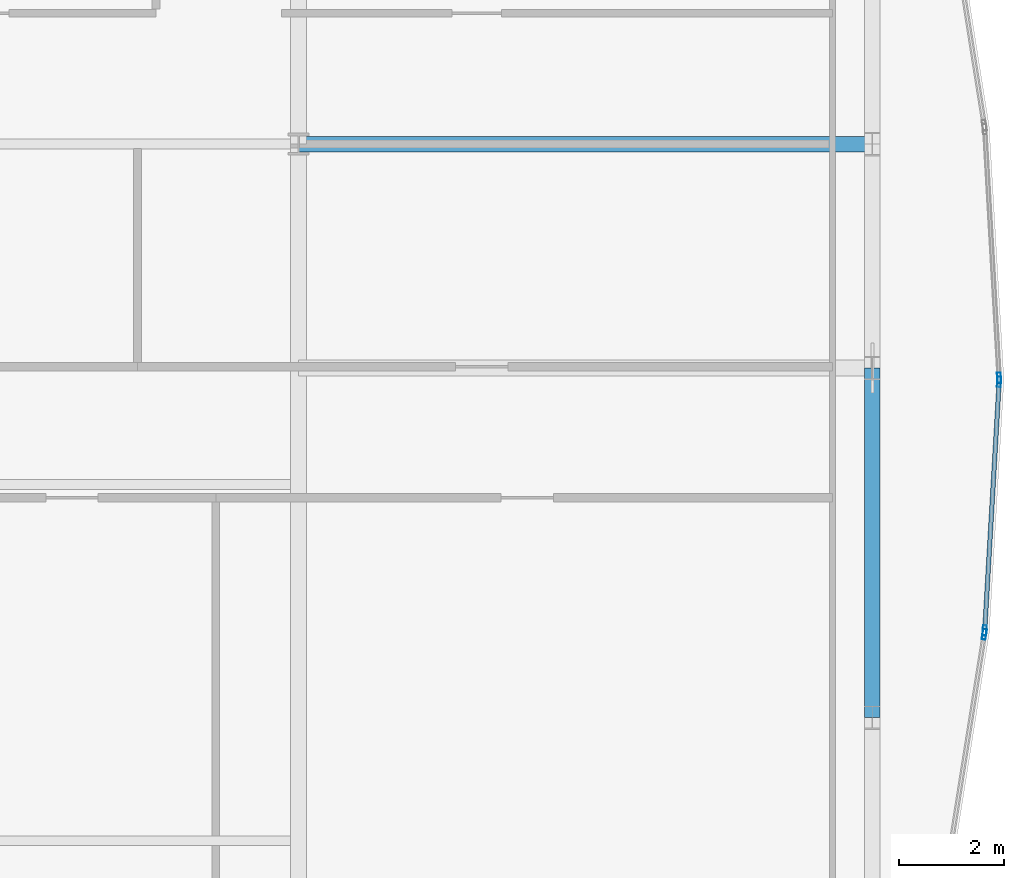
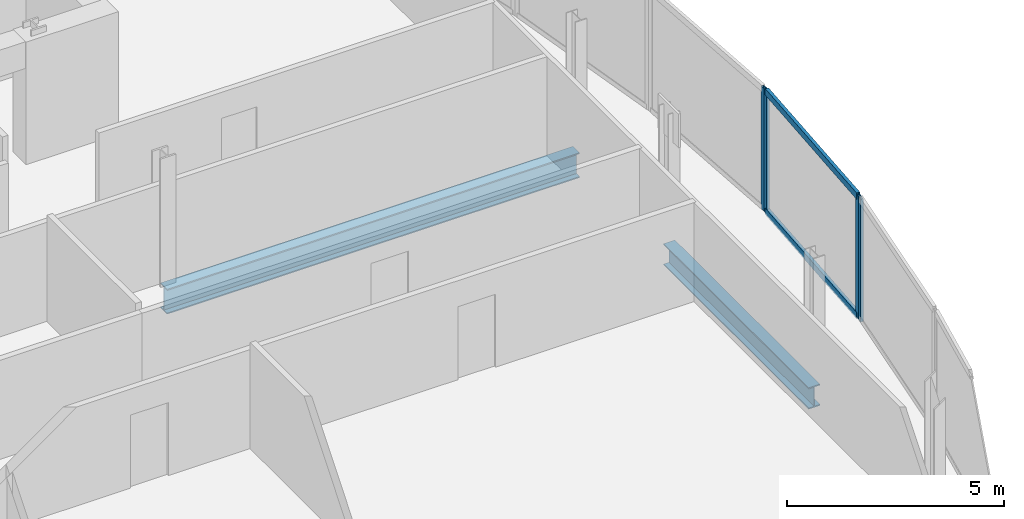
# One storey, part 18 of 30: 6 members, 2 beams, 3 elements without a shape of their own.
"""IFC4 building model written with IfcOpenShell, lengths in metres."""

from ifc_helpers import new_model, si_unit, direction, frame, origin, origin_2d, place, context, subcontext, project, spatial, hollow_rectangle, i_section, extrude, material, material_profile, profile_set, type_object, element, aggregate, save


model = new_model("IFC4")

# Units and contexts
model_context = context("Model", 3, precision=1e-05, world=origin(), true_north=direction((0.0, 1.0)))
body_context = subcontext(model_context, "Body", "Model", "MODEL_VIEW")
ifc_project = project(units=[si_unit("LENGTHUNIT", "METRE"), si_unit("AREAUNIT", "SQUARE_METRE"), si_unit("VOLUMEUNIT", "CUBIC_METRE"), si_unit("PLANEANGLEUNIT", "RADIAN"), si_unit("MASSUNIT", "GRAM", prefix="KILO")], contexts=[model_context])

# Site, building, storey
site_placement = place(None, origin())
site = spatial("IfcSite", under=ifc_project, at=site_placement, CompositionType="ELEMENT")
building_placement = place(site_placement, origin())
building = spatial("IfcBuilding", under=site, at=building_placement, Name="Khoronbel Lancet Exchange", CompositionType="ELEMENT")
storey_placement = place(building_placement, frame((0.0, 0.0, 217.39990234375)))
storey = spatial("IfcBuildingStorey", under=building, at=storey_placement, Name="L55", CompositionType="ELEMENT", Elevation=217.39990234375)

# Beams
ifc_material_1 = material(Name="Steel S355", Category="steel")
ifc_material_profile_1 = material_profile(ifc_material_1, i_section(OverallWidth=0.300048828125, OverallDepth=0.699951171875, WebThickness=0.01708984375, FlangeThickness=0.031982421875, at=origin_2d()), Name="HEB 700")
ifc_profile_set_1 = profile_set([ifc_material_profile_1], Name="Steel S355")
beam_type_1 = type_object("IfcBeamType", Name="BM-BG3", PredefinedType="BEAM", material=ifc_profile_set_1)
beam_1_placement = place(storey_placement, frame((54.675048828125, 35.699951171875, -0.510009765625), z_axis=(1.0, 0.0, 0.0), x_axis=(0.0, 1.0, 0.0)))
element("IfcBeam", 1, at=beam_1_placement, inside=storey, type_object=beam_type_1, Name="Level L55 east lens tie girder LG4E", PredefinedType="BEAM", context=body_context, shape_type="SweptSolid", body=[
    extrude(i_section(OverallWidth=0.300048828125, OverallDepth=0.699951171875, WebThickness=0.01708984375, FlangeThickness=0.031982421875, at=origin_2d()), origin(), (0.0, 0.0, 1.0), 10.954833984375),
])
ifc_material_profile_2 = material_profile(ifc_material_1, i_section(OverallWidth=0.300048828125, OverallDepth=0.60009765625, WebThickness=0.015380859375, FlangeThickness=0.030029296875, at=origin_2d()), Name="HEB 600")
ifc_profile_set_2 = profile_set([ifc_material_profile_2], Name="Steel S355")
beam_type_2 = type_object("IfcBeamType", Name="BM-BSP2", PredefinedType="SPANDREL", material=ifc_profile_set_2)
beam_2_placement = place(storey_placement, frame((65.6298828125, 24.75, -0.4599609375), z_axis=(0.0, 1.0, 0.0), x_axis=(-1.0, 0.0, 0.0)))
element("IfcBeam", 2, at=beam_2_placement, inside=storey, type_object=beam_type_2, Name="Level L55 perimeter spandrel beam SP12", PredefinedType="SPANDREL", context=body_context, shape_type="SweptSolid", body=[
    extrude(i_section(OverallWidth=0.300048828125, OverallDepth=0.60009765625, WebThickness=0.015380859375, FlangeThickness=0.030029296875, at=origin_2d()), origin(), (0.0, 0.0, 1.0), 6.675048828125),
])

# Curtain wall, member
ifc_material_2 = material(Name="Low-E Solar Control Insulating Glass", Category="glass")
curtain_wall_type = type_object("IfcCurtainWallType", Name="CW-4", PredefinedType="NOTDEFINED", material=ifc_material_2)
curtain_wall_1_placement = place(storey_placement, origin())
curtain_wall_1 = element("IfcCurtainWall", 3, at=curtain_wall_1_placement, inside=storey, type_object=curtain_wall_type, Name="Unitised curtain wall CW-L55-E19", PredefinedType="NOTDEFINED")
ifc_material_3 = material(Name="Bronze-Anodised Aluminium 6063-T6", Category="aluminium")
ifc_material_profile_3 = material_profile(ifc_material_3, hollow_rectangle(XDim=0.074951171875, YDim=0.199951171875, WallThickness=0.0048828125, at=origin_2d()), Name="ALU MULLION 75x200")
ifc_profile_set_3 = profile_set([ifc_material_profile_3], Name="Bronze-Anodised Aluminium 6063-T6")
member_type_1 = type_object("IfcMemberType", Name="MEM-CWM2", PredefinedType="MULLION", material=ifc_profile_set_3)
member_1_placement = place(storey_placement, frame((68.05126953125, 31.237548828125, 0.0), z_axis=(0.0, 0.0, 1.0), x_axis=(0.998320661811, 0.057929752304, 0.0)))
member_1 = element("IfcMember", 4, at=member_1_placement, type_object=member_type_1, Name="CW4 mullion 2", PredefinedType="MULLION", context=body_context, shape_type="SweptSolid", body=[
    extrude(hollow_rectangle(XDim=0.074951171875, YDim=0.199951171875, WallThickness=0.0048828125, at=origin_2d()), origin(), (0.0, 0.0, 1.0), 3.440185546875),
])
aggregate(curtain_wall_1, [member_1])

# Curtain wall, members
curtain_wall_2_placement = place(storey_placement, origin())
curtain_wall_2 = element("IfcCurtainWall", 5, at=curtain_wall_2_placement, inside=storey, type_object=curtain_wall_type, Name="Unitised curtain wall CW-L55-E20", PredefinedType="NOTDEFINED")
member_2_placement = place(storey_placement, frame((68.05126953125, 31.16259765625, 0.0), z_axis=(0.0, 0.0, 1.0), x_axis=(0.998320661811, -0.057929752304, 0.0)))
member_2 = element("IfcMember", 6, at=member_2_placement, type_object=member_type_1, Name="CW4 mullion 1", PredefinedType="MULLION", context=body_context, shape_type="SweptSolid", body=[
    extrude(hollow_rectangle(XDim=0.074951171875, YDim=0.199951171875, WallThickness=0.0048828125, at=origin_2d()), origin(), (0.0, 0.0, 1.0), 3.440185546875),
])
member_3_placement = place(storey_placement, frame((67.77587890625, 26.413818359375, 0.0), z_axis=(0.0, 0.0, 1.0), x_axis=(0.998320661811, -0.057929752304, 0.0)))
member_3 = element("IfcMember", 7, at=member_3_placement, type_object=member_type_1, Name="CW4 mullion 2", PredefinedType="MULLION", context=body_context, shape_type="SweptSolid", body=[
    extrude(hollow_rectangle(XDim=0.074951171875, YDim=0.199951171875, WallThickness=0.0048828125, at=origin_2d()), origin(), (0.0, 0.0, 1.0), 3.440185546875),
])

# Curtain wall, member
curtain_wall_3_placement = place(storey_placement, origin())
curtain_wall_3 = element("IfcCurtainWall", 8, at=curtain_wall_3_placement, inside=storey, type_object=curtain_wall_type, Name="Unitised curtain wall CW-L55-E21", PredefinedType="NOTDEFINED")
member_4_placement = place(storey_placement, frame((67.767822265625, 26.33935546875, 0.0), z_axis=(0.0, 0.0, 1.0), x_axis=(0.987661213762, -0.156605641119, 0.0)))
member_4 = element("IfcMember", 9, at=member_4_placement, type_object=member_type_1, Name="CW4 mullion 1", PredefinedType="MULLION", context=body_context, shape_type="SweptSolid", body=[
    extrude(hollow_rectangle(XDim=0.074951171875, YDim=0.199951171875, WallThickness=0.0048828125, at=origin_2d()), origin(), (0.0, 0.0, 1.0), 3.440185546875),
])
aggregate(curtain_wall_3, [member_4])

# Member
ifc_material_profile_4 = material_profile(ifc_material_3, hollow_rectangle(XDim=0.0849609375, YDim=0.179931640625, WallThickness=0.0048828125, at=origin_2d()), Name="ALU TRANSOM 85x180")
ifc_profile_set_4 = profile_set([ifc_material_profile_4], Name="Bronze-Anodised Aluminium 6063-T6")
member_type_2 = type_object("IfcMemberType", Name="MEM-CWT1", PredefinedType="USERDEFINED", material=ifc_profile_set_4)
member_5_placement = place(storey_placement, frame((68.049072265625, 31.125244140625, 0.04248046875), z_axis=(-0.057933351956, -0.998320452926, 0.0), x_axis=(0.998320452926, -0.057933351956, 0.0)))
member_5 = element("IfcMember", 10, at=member_5_placement, type_object=member_type_2, Name="CW4 transom 1.1", ObjectType="TRANSOM", PredefinedType="USERDEFINED", context=body_context, shape_type="SweptSolid", body=[
    extrude(hollow_rectangle(XDim=0.0849609375, YDim=0.179931640625, WallThickness=0.0048828125, at=origin_2d()), origin(), (0.0, 0.0, 1.0), 4.681884765625),
])

member_6_placement = place(storey_placement, frame((68.049072265625, 31.125244140625, 3.397705078125), z_axis=(-0.057933351956, -0.998320452926, 0.0), x_axis=(0.998320452926, -0.057933351956, 0.0)))
member_6 = element("IfcMember", 11, at=member_6_placement, type_object=member_type_2, Name="CW4 transom 1.2", ObjectType="TRANSOM", PredefinedType="USERDEFINED", context=body_context, shape_type="SweptSolid", body=[
    extrude(hollow_rectangle(XDim=0.0849609375, YDim=0.179931640625, WallThickness=0.0048828125, at=origin_2d()), origin(), (0.0, 0.0, 1.0), 4.681884765625),
])

aggregate(curtain_wall_2, [member_2, member_3, member_5, member_6])

save(model, "model.ifc")
